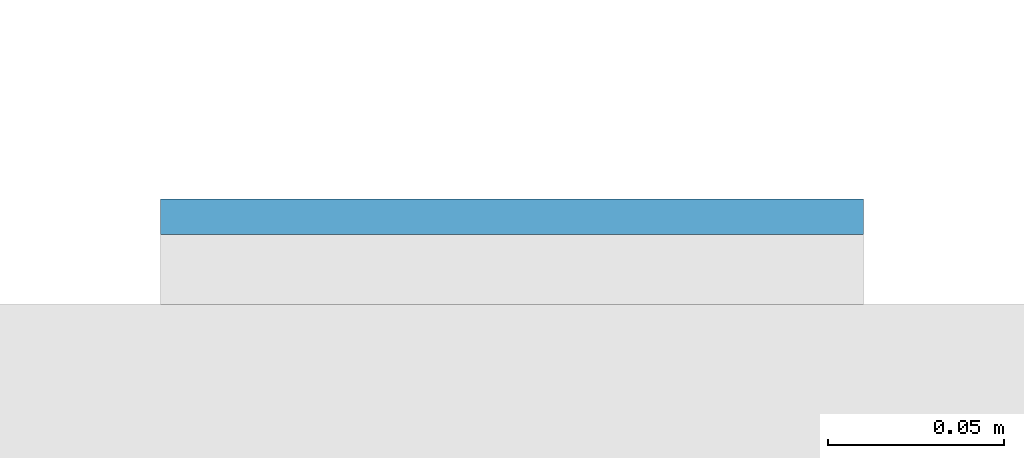
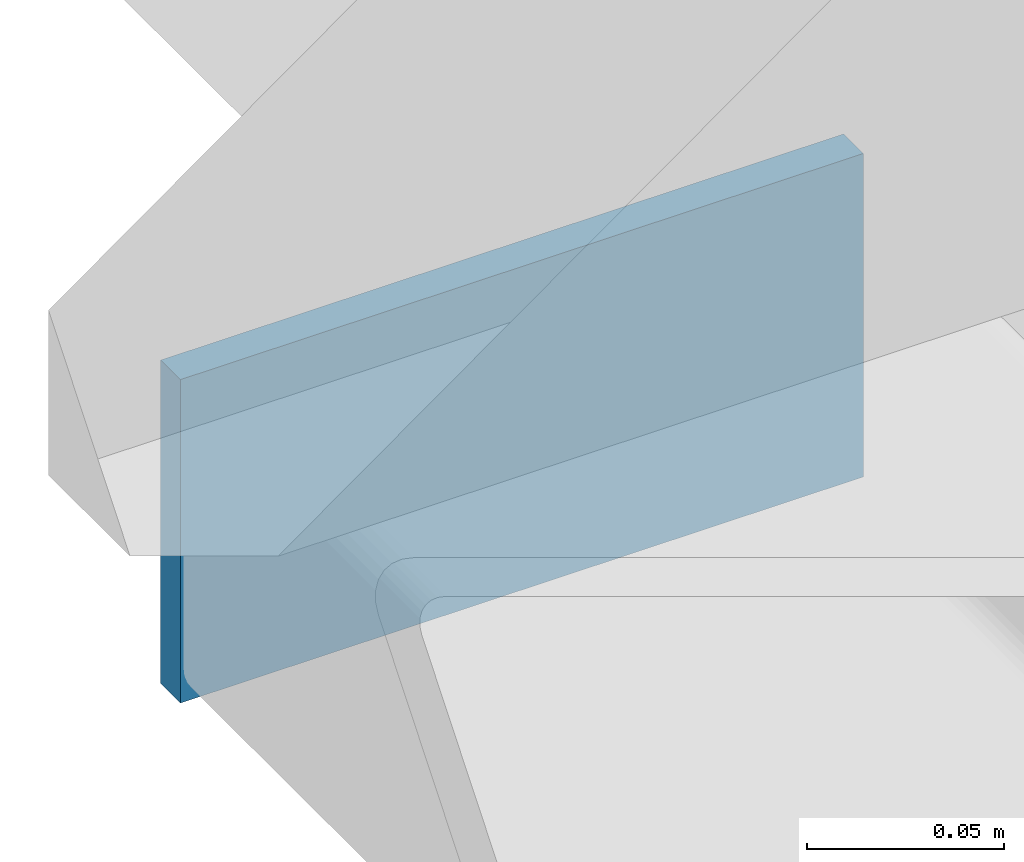
# One storey, part 9 of 20: 1 plate.
"""IFC4 building model written with IfcOpenShell, lengths in metres."""

from ifc_helpers import new_model, si_unit, direction, frame, origin, origin_2d, place, context, subcontext, project, spatial, rectangle, extrude, material, layer, layer_set, type_object, element, save


model = new_model("IFC4")

# Units and contexts
model_context = context("Model", 3, precision=1e-05, world=origin(), true_north=direction((0.0, 1.0)))
body_context = subcontext(model_context, "Body", "Model", "MODEL_VIEW")
ifc_project = project(units=[si_unit("LENGTHUNIT", "METRE"), si_unit("AREAUNIT", "SQUARE_METRE"), si_unit("VOLUMEUNIT", "CUBIC_METRE"), si_unit("PLANEANGLEUNIT", "RADIAN"), si_unit("MASSUNIT", "GRAM", prefix="KILO")], contexts=[model_context])

# Site, building, storey
site_placement = place(None, origin())
site = spatial("IfcSite", under=ifc_project, at=site_placement, CompositionType="ELEMENT")
building_placement = place(site_placement, origin())
building = spatial("IfcBuilding", under=site, at=building_placement, Name="Cleftline Residences", CompositionType="ELEMENT")
storey_placement = place(building_placement, frame((0.0, 0.0, 146.60009765625)))
storey = spatial("IfcBuildingStorey", under=building, at=storey_placement, Name="L38", CompositionType="ELEMENT", Elevation=146.60009765625)

# Plate
ifc_material = material(Name="Steel S355, hot-dip galvanised", Category="steel")
ifc_layer = layer(ifc_material, 0.010009765625)
ifc_layer_set = layer_set([ifc_layer], Name="BAGUETTE CARRIER END PLATE 200X100X10")
plate_type = type_object("IfcPlateType", Name="BAGUETTE CARRIER END PLATE 200X100X10", PredefinedType="USERDEFINED", material=ifc_layer_set)
plate_placement = place(storey_placement, frame((-0.85009765625, 44.304931640625, -0.10009765625), z_axis=(0.0, 0.0, 1.0), x_axis=(-1.0, 0.0, 0.0)))
element("IfcPlate", 1, at=plate_placement, inside=storey, type_object=plate_type, Name="Baguette carrier end plate", ObjectType="BAGUETTE CARRIER END PLATE", PredefinedType="USERDEFINED", context=body_context, shape_type="SweptSolid", body=[
    extrude(rectangle(XDim=0.199951171875, YDim=0.010009765625, at=origin_2d()), origin(), (0.0, 0.0, 1.0), 0.10009765625),
])

save(model, "model.ifc")
